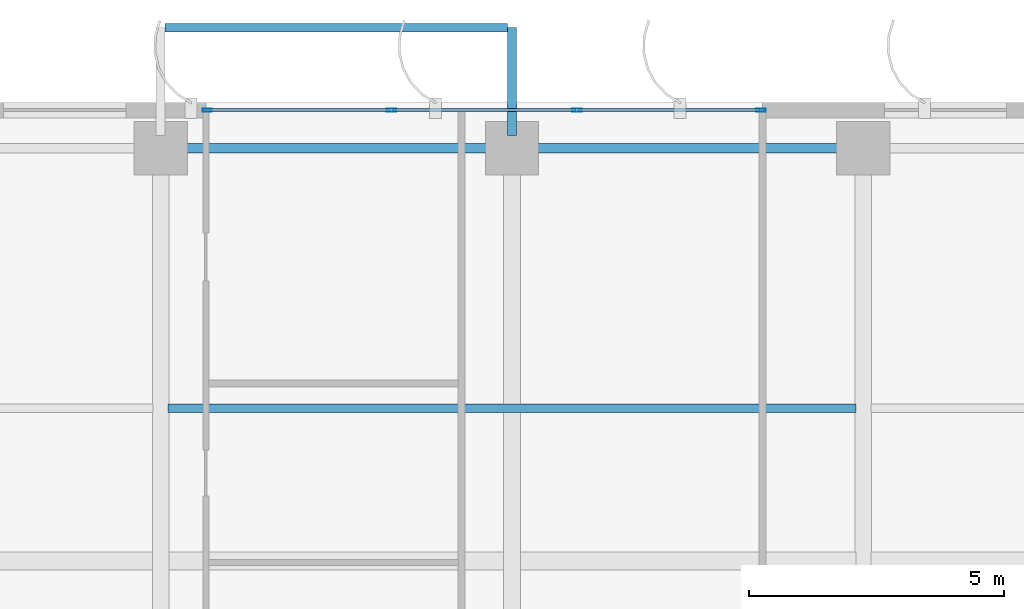
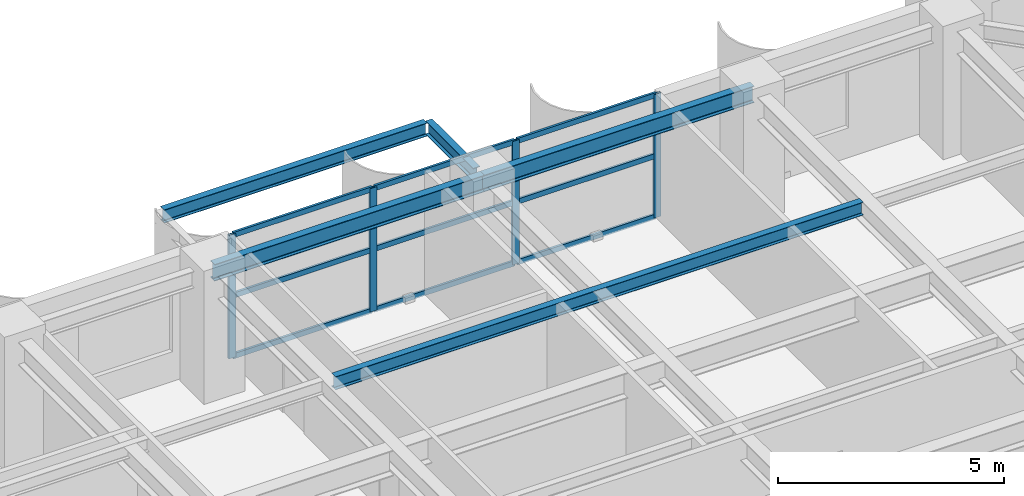
# One storey, part 15 of 23: 13 members, 5 beams, 1 element without a shape of its own.
"""IFC4 building model written with IfcOpenShell, lengths in metres."""

from ifc_helpers import new_model, si_unit, direction, frame, origin, origin_2d, place, context, subcontext, project, spatial, hollow_rectangle, i_section, extrude, source, transform, mapped, material, layer, layer_set, material_profile, profile_set, type_object, element, aggregate, save


model = new_model("IFC4")

# Units and contexts
model_context = context("Model", 3, precision=1e-05, world=origin(), true_north=direction((0.0, 1.0)))
body_context = subcontext(model_context, "Body", "Model", "MODEL_VIEW")
ifc_project = project(units=[si_unit("LENGTHUNIT", "METRE"), si_unit("AREAUNIT", "SQUARE_METRE"), si_unit("VOLUMEUNIT", "CUBIC_METRE"), si_unit("PLANEANGLEUNIT", "RADIAN"), si_unit("MASSUNIT", "GRAM", prefix="KILO")], contexts=[model_context])

# Site, building, storey
site_placement = place(None, origin())
site = spatial("IfcSite", under=ifc_project, at=site_placement, CompositionType="ELEMENT")
building_placement = place(site_placement, origin())
building = spatial("IfcBuilding", under=site, at=building_placement, Name="Khoralis Quay Care Tower", CompositionType="ELEMENT")
storey_placement = place(building_placement, frame((0.0, 0.0, 83.699951171875)))
storey = spatial("IfcBuildingStorey", under=building, at=storey_placement, Name="L21", CompositionType="ELEMENT", Elevation=83.699951171875)

# Beams
ifc_material_1 = material(Name="Steel S355", Category="steel")
ifc_material_profile_1 = material_profile(ifc_material_1, i_section(OverallWidth=0.18994140625, OverallDepth=0.449951171875, WebThickness=0.009521484375, FlangeThickness=0.0146484375, FilletRadius=0.02099609375, at=origin_2d()), Name="Steel S355")
ifc_profile_set_1 = profile_set([ifc_material_profile_1], Name="Steel S355")
beam_type_1 = type_object("IfcBeamType", Name="BM-IPE450", PredefinedType="SPANDREL", material=ifc_profile_set_1)
shared_shape_1 = source(origin(), body_context, "Body", "SweptSolid", [
    extrude(i_section(OverallWidth=0.18994140625, OverallDepth=0.449951171875, WebThickness=0.009521484375, FlangeThickness=0.0146484375, FilletRadius=0.02099609375, at=origin_2d()), origin(), (0.0, 0.0, 1.0), 6.89990234375),
])
for number, where, z_axis, x_axis, name in (
    (1, (17.10009765625, 44.10009765625, 3.114990234375), (1.0, 0.0, 0.0), (0.0, 1.0, 0.0), "BM-TSP-L21-08"),
    (2, (24.0, 44.10009765625, 3.114990234375), (1.0, 0.0, 0.0), (0.0, 1.0, 0.0), "BM-TSP-L21-09"),
):
    element("IfcBeam", number, at=place(storey_placement, frame(where, z_axis=z_axis, x_axis=x_axis)), inside=storey, type_object=beam_type_1, Name=name, PredefinedType="SPANDREL", context=body_context, shape_type="MappedRepresentation", body=[
        mapped(shared_shape_1, transform((0.0, 0.0, 0.0), scale=1.0)),
    ])
ifc_material_profile_2 = material_profile(ifc_material_1, i_section(OverallWidth=0.1708984375, OverallDepth=0.35498046875, WebThickness=0.007080078125, FlangeThickness=0.01171875, FilletRadius=0.012939453125, at=origin_2d()), Name="Steel S355")
ifc_profile_set_2 = profile_set([ifc_material_profile_2], Name="Steel S355")
beam_type_2 = type_object("IfcBeamType", Name="BM-W360X51", PredefinedType="JOIST", material=ifc_profile_set_2)
shared_shape_2 = source(origin(), body_context, "Body", "SweptSolid", [
    extrude(i_section(OverallWidth=0.1708984375, OverallDepth=0.35498046875, WebThickness=0.007080078125, FlangeThickness=0.01171875, FilletRadius=0.012939453125, at=origin_2d()), origin(), (0.0, 0.0, 1.0), 13.4990234375),
])
beam_1_placement = place(storey_placement, frame((17.25048828125, 39.0, 3.16259765625), z_axis=(1.0, 0.0, 0.0), x_axis=(0.0, 1.0, 0.0)))
element("IfcBeam", 3, at=beam_1_placement, inside=storey, type_object=beam_type_2, Name="BM-TJS-L21-33", PredefinedType="JOIST", context=body_context, shape_type="MappedRepresentation", body=[
    mapped(shared_shape_2, transform((0.0, 0.0, 0.0), scale=1.0)),
])
ifc_material_profile_3 = material_profile(ifc_material_1, i_section(OverallWidth=0.169921875, OverallDepth=0.360107421875, WebThickness=0.008056640625, FlangeThickness=0.0126953125, FilletRadius=0.01806640625, at=origin_2d()), Name="Steel S355")
ifc_profile_set_3 = profile_set([ifc_material_profile_3], Name="Steel S355")
beam_type_3 = type_object("IfcBeamType", Name="BM-IPE360", PredefinedType="SPANDREL", material=ifc_profile_set_3)
shared_shape_3 = source(origin(), body_context, "Body", "SweptSolid", [
    extrude(i_section(OverallWidth=0.169921875, OverallDepth=0.360107421875, WebThickness=0.008056640625, FlangeThickness=0.0126953125, FilletRadius=0.01806640625, at=origin_2d()), origin(), (0.0, 0.0, 1.0), 2.119873046875),
])
beam_2_placement = place(storey_placement, frame((24.0, 44.35009765625, 3.1640625), z_axis=(0.0, 1.0, 0.0), x_axis=(-1.0, 0.0, 0.0)))
element("IfcBeam", 4, at=beam_2_placement, inside=storey, type_object=beam_type_3, Name="L22 Balcony Cantilever Outrigger Beam 2", PredefinedType="SPANDREL", context=body_context, shape_type="MappedRepresentation", body=[
    mapped(shared_shape_3, transform((0.0, 0.0, 0.0), scale=1.0)),
])
shared_shape_4 = source(origin(), body_context, "Body", "SweptSolid", [
    extrude(i_section(OverallWidth=0.169921875, OverallDepth=0.360107421875, WebThickness=0.008056640625, FlangeThickness=0.0126953125, FilletRadius=0.01806640625, at=origin_2d()), origin(), (0.0, 0.0, 1.0), 6.72412109375),
])
beam_3_placement = place(storey_placement, frame((17.18798828125, 46.469970703125, 3.1640625), z_axis=(1.0, 0.0, 0.0), x_axis=(0.0, 1.0, 0.0)))
element("IfcBeam", 5, at=beam_3_placement, inside=storey, type_object=beam_type_3, Name="L22 Balcony Edge Spandrel Beam P1E10", PredefinedType="SPANDREL", context=body_context, shape_type="MappedRepresentation", body=[
    mapped(shared_shape_4, transform((0.0, 0.0, 0.0), scale=1.0)),
])

# Curtain wall, members
ifc_material_2 = material(Name="Pale anodised aluminium", Category="aluminium")
ifc_layer = layer(ifc_material_2, 0.169921875)
ifc_layer_set = layer_set([ifc_layer], Name="Pale anodised aluminium")
curtain_wall_type = type_object("IfcCurtainWallType", Name="CW-SYS-Z2", PredefinedType="NOTDEFINED", material=ifc_layer_set)
curtain_wall_placement = place(storey_placement, origin())
curtain_wall = element("IfcCurtainWall", 6, at=curtain_wall_placement, inside=storey, type_object=curtain_wall_type, Name="L21 Unitised Curtain Wall CW-L21-P1-E10", PredefinedType="NOTDEFINED")
ifc_material_profile_4 = material_profile(ifc_material_2, hollow_rectangle(XDim=0.06494140625, YDim=0.179931640625, WallThickness=0.00390625, at=origin_2d()), Name="Pale anodised aluminium")
ifc_profile_set_4 = profile_set([ifc_material_profile_4], Name="Pale anodised aluminium")
member_type_1 = type_object("IfcMemberType", Name="CW-MUL-180", PredefinedType="MULLION", material=ifc_profile_set_4)
shared_shape_5 = source(origin(), body_context, "Body", "SweptSolid", [
    extrude(hollow_rectangle(XDim=0.06494140625, YDim=0.179931640625, WallThickness=0.00390625, at=origin_2d()), origin(), (0.0, 0.0, 1.0), 3.340087890625),
])
member_1_placement = place(storey_placement, frame((28.889892578125, 44.85009765625, 0.0), z_axis=(0.0, 0.0, 1.0), x_axis=(0.0, -1.0, 0.0)))
member_1 = element("IfcMember", 7, at=member_1_placement, type_object=member_type_1, Name="CW2 mullion 1", PredefinedType="MULLION", context=body_context, shape_type="MappedRepresentation", body=[
    mapped(shared_shape_5, transform((0.0, 0.0, 0.0), scale=1.0)),
])
member_2_placement = place(storey_placement, frame((25.2763671875, 44.85009765625, 0.0), z_axis=(0.0, 0.0, 1.0), x_axis=(0.0, -1.0, 0.0)))
member_2 = element("IfcMember", 8, at=member_2_placement, type_object=member_type_1, Name="CW2 mullion 2", PredefinedType="MULLION", context=body_context, shape_type="MappedRepresentation", body=[
    mapped(shared_shape_5, transform((0.0, 0.0, 0.0), scale=1.0)),
])
member_3_placement = place(storey_placement, frame((21.632568359375, 44.85009765625, 0.0), z_axis=(0.0, 0.0, 1.0), x_axis=(0.0, -1.0, 0.0)))
member_3 = element("IfcMember", 9, at=member_3_placement, type_object=member_type_1, Name="CW2 mullion 3", PredefinedType="MULLION", context=body_context, shape_type="MappedRepresentation", body=[
    mapped(shared_shape_5, transform((0.0, 0.0, 0.0), scale=1.0)),
])
member_4_placement = place(storey_placement, frame((18.01904296875, 44.85009765625, 0.0), z_axis=(0.0, 0.0, 1.0), x_axis=(0.0, -1.0, 0.0)))
member_4 = element("IfcMember", 10, at=member_4_placement, type_object=member_type_1, Name="CW2 mullion 4", PredefinedType="MULLION", context=body_context, shape_type="MappedRepresentation", body=[
    mapped(shared_shape_5, transform((0.0, 0.0, 0.0), scale=1.0)),
])
ifc_material_profile_5 = material_profile(ifc_material_2, hollow_rectangle(XDim=0.06005859375, YDim=0.139892578125, WallThickness=0.00390625, at=origin_2d()), Name="Pale anodised aluminium")
ifc_profile_set_5 = profile_set([ifc_material_profile_5], Name="Pale anodised aluminium")
member_type_2 = type_object("IfcMemberType", Name="CW-TRN-140", PredefinedType="USERDEFINED", material=ifc_profile_set_5)
shared_shape_6 = source(origin(), body_context, "Body", "SweptSolid", [
    extrude(hollow_rectangle(XDim=0.06005859375, YDim=0.139892578125, WallThickness=0.00390625, at=origin_2d()), origin(), (0.0, 0.0, 1.0), 3.5537109375),
])
member_5_placement = place(storey_placement, frame((28.860107421875, 44.85009765625, 0.030029296875), z_axis=(-1.0, 0.0, 0.0), x_axis=(0.0, -1.0, 0.0)))
member_5 = element("IfcMember", 11, at=member_5_placement, type_object=member_type_2, Name="CW2 transom 1.1", ObjectType="TRANSOM", PredefinedType="USERDEFINED", context=body_context, shape_type="MappedRepresentation", body=[
    mapped(shared_shape_6, transform((0.0, 0.0, 0.0), scale=1.0)),
])
member_6_placement = place(storey_placement, frame((28.860107421875, 44.85009765625, 1.670166015625), z_axis=(-1.0, 0.0, 0.0), x_axis=(0.0, -1.0, 0.0)))
member_6 = element("IfcMember", 12, at=member_6_placement, type_object=member_type_2, Name="CW2 transom 1.2", ObjectType="TRANSOM", PredefinedType="USERDEFINED", context=body_context, shape_type="MappedRepresentation", body=[
    mapped(shared_shape_6, transform((0.0, 0.0, 0.0), scale=1.0)),
])
member_7_placement = place(storey_placement, frame((28.860107421875, 44.85009765625, 3.31005859375), z_axis=(-1.0, 0.0, 0.0), x_axis=(0.0, -1.0, 0.0)))
member_7 = element("IfcMember", 13, at=member_7_placement, type_object=member_type_2, Name="CW2 transom 1.3", ObjectType="TRANSOM", PredefinedType="USERDEFINED", context=body_context, shape_type="MappedRepresentation", body=[
    mapped(shared_shape_6, transform((0.0, 0.0, 0.0), scale=1.0)),
])
member_8_placement = place(storey_placement, frame((21.602783203125, 44.85009765625, 0.030029296875), z_axis=(-1.0, 0.0, 0.0), x_axis=(0.0, -1.0, 0.0)))
member_8 = element("IfcMember", 14, at=member_8_placement, type_object=member_type_2, Name="CW2 transom 3.1", ObjectType="TRANSOM", PredefinedType="USERDEFINED", context=body_context, shape_type="MappedRepresentation", body=[
    mapped(shared_shape_6, transform((0.0, 0.0, 0.0), scale=1.0)),
])
member_9_placement = place(storey_placement, frame((21.602783203125, 44.85009765625, 1.670166015625), z_axis=(-1.0, 0.0, 0.0), x_axis=(0.0, -1.0, 0.0)))
member_9 = element("IfcMember", 15, at=member_9_placement, type_object=member_type_2, Name="CW2 transom 3.2", ObjectType="TRANSOM", PredefinedType="USERDEFINED", context=body_context, shape_type="MappedRepresentation", body=[
    mapped(shared_shape_6, transform((0.0, 0.0, 0.0), scale=1.0)),
])
member_10_placement = place(storey_placement, frame((21.602783203125, 44.85009765625, 3.31005859375), z_axis=(-1.0, 0.0, 0.0), x_axis=(0.0, -1.0, 0.0)))
member_10 = element("IfcMember", 16, at=member_10_placement, type_object=member_type_2, Name="CW2 transom 3.3", ObjectType="TRANSOM", PredefinedType="USERDEFINED", context=body_context, shape_type="MappedRepresentation", body=[
    mapped(shared_shape_6, transform((0.0, 0.0, 0.0), scale=1.0)),
])
shared_shape_7 = source(origin(), body_context, "Body", "SweptSolid", [
    extrude(hollow_rectangle(XDim=0.06005859375, YDim=0.139892578125, WallThickness=0.00390625, at=origin_2d()), origin(), (0.0, 0.0, 1.0), 3.583740234375),
])
member_11_placement = place(storey_placement, frame((25.246337890625, 44.85009765625, 0.030029296875), z_axis=(-1.0, 0.0, 0.0), x_axis=(0.0, -1.0, 0.0)))
member_11 = element("IfcMember", 17, at=member_11_placement, type_object=member_type_2, Name="CW2 transom 2.1", ObjectType="TRANSOM", PredefinedType="USERDEFINED", context=body_context, shape_type="MappedRepresentation", body=[
    mapped(shared_shape_7, transform((0.0, 0.0, 0.0), scale=1.0)),
])
member_12_placement = place(storey_placement, frame((25.246337890625, 44.85009765625, 1.670166015625), z_axis=(-1.0, 0.0, 0.0), x_axis=(0.0, -1.0, 0.0)))
member_12 = element("IfcMember", 18, at=member_12_placement, type_object=member_type_2, Name="CW2 transom 2.2", ObjectType="TRANSOM", PredefinedType="USERDEFINED", context=body_context, shape_type="MappedRepresentation", body=[
    mapped(shared_shape_7, transform((0.0, 0.0, 0.0), scale=1.0)),
])
member_13_placement = place(storey_placement, frame((25.246337890625, 44.85009765625, 3.31005859375), z_axis=(-1.0, 0.0, 0.0), x_axis=(0.0, -1.0, 0.0)))
member_13 = element("IfcMember", 19, at=member_13_placement, type_object=member_type_2, Name="CW2 transom 2.3", ObjectType="TRANSOM", PredefinedType="USERDEFINED", context=body_context, shape_type="MappedRepresentation", body=[
    mapped(shared_shape_7, transform((0.0, 0.0, 0.0), scale=1.0)),
])
aggregate(curtain_wall, [member_1, member_2, member_3, member_4, member_5, member_6, member_7, member_11, member_12, member_13, member_8, member_9, member_10])

save(model, "model.ifc")
